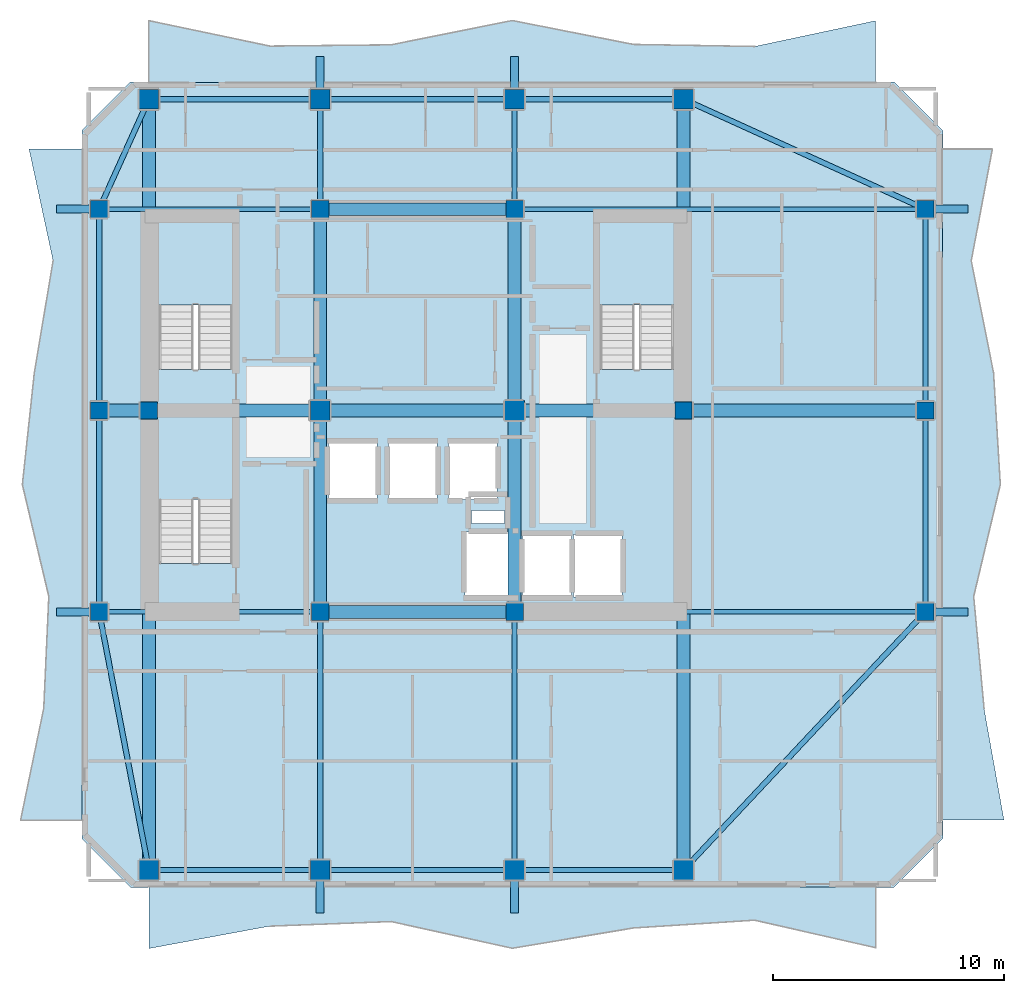
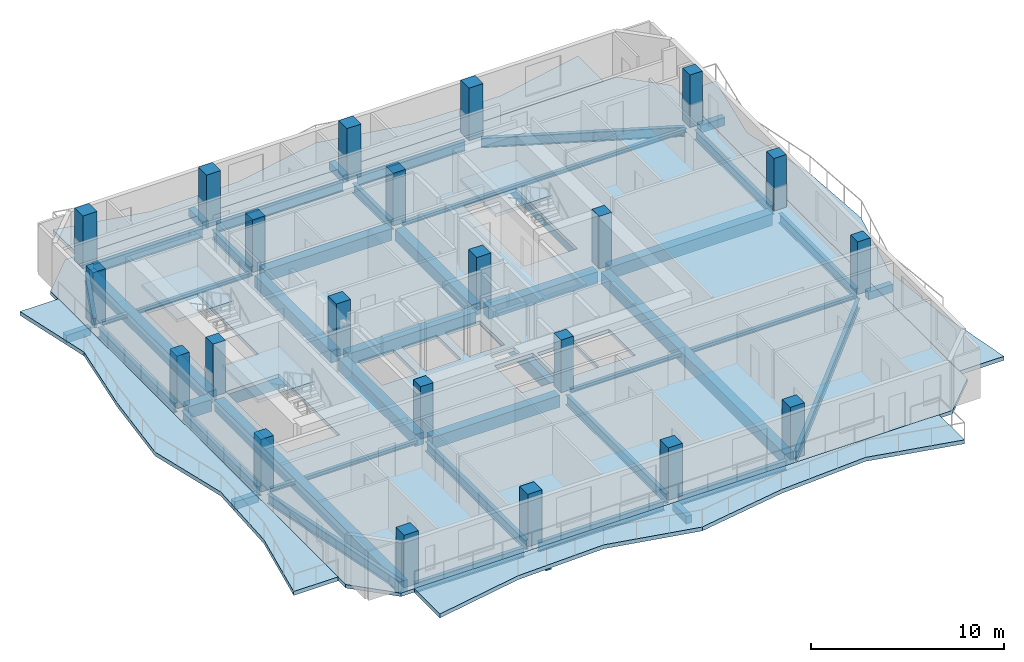
# One storey, part 1 of 9: 45 beams, 22 columns, 8 slabs, 3 elements without a shape of their own.
"""IFC4 building model written with IfcOpenShell, lengths in metres."""

import ifcopenshell
import ifcopenshell.guid

model = None  # the IFC model being written
_history = None  # IfcOwnerHistory: only IFC2X3 demands one
_inside = {}  # id of a spatial element -> (the spatial element, [elements in it])
_under = {}  # id of a project, library or spatial element -> (it, [spatial elements below it])
_declared = {}  # id of a project -> (the project, [libraries it declares])
_typed = {}  # id of a type object -> (the type object, [elements of that type])
_made_of = {}  # id of a material, layer set ... -> (it, [elements and type objects made of it])


def new_model(schema):
    """Start an empty IFC model of exactly this schema.

    Asked for "IFC4X3", IfcOpenShell would pick the latest addendum, in which some entities
    have other attributes; the version numbers below select the first issue.
    IFC2X3 requires an IfcOwnerHistory on every rooted entity: one is made here for all.
    """
    global model, _history
    if schema == "IFC4X3":
        model = ifcopenshell.file(schema_version=(4, 3, 0, 0))
    else:
        model = ifcopenshell.file(schema=schema)
    _inside.clear()
    _under.clear()
    _declared.clear()
    _typed.clear()
    _made_of.clear()
    _history = None
    if model.schema == "IFC2X3":
        org = make("IfcOrganization", Name="unknown")
        user = make(
            "IfcPersonAndOrganization",
            ThePerson=make("IfcPerson", FamilyName="unknown"),
            TheOrganization=org,
        )
        app = make(
            "IfcApplication",
            ApplicationDeveloper=org,
            Version="unknown",
            ApplicationFullName="unknown",
            ApplicationIdentifier="unknown",
        )
        _history = make(
            "IfcOwnerHistory",
            OwningUser=user,
            OwningApplication=app,
            ChangeAction="ADDED",
            CreationDate=0,
        )
    return model


def make(cls, **values):
    """One entity of the class cls with the attributes given. An attribute that is None is left unset."""
    return model.create_entity(
        cls, **{name: value for name, value in values.items() if value is not None}
    )


def rooted(cls, **values):
    """An entity with a GlobalId (a new one), such as an element, a storey or a relation."""
    return make(cls, GlobalId=ifcopenshell.guid.new(), OwnerHistory=_history, **values)


def si_unit(unit_type, name, prefix=None):
    """IfcSIUnit, for example si_unit("LENGTHUNIT", "METRE", prefix="MILLI")."""
    return make("IfcSIUnit", UnitType=unit_type, Prefix=prefix, Name=name)


def assignment(units):
    """IfcUnitAssignment: the units of a project."""
    return None if units is None else make("IfcUnitAssignment", Units=units)


def point(xyz):
    """IfcCartesianPoint."""
    return None if xyz is None else make("IfcCartesianPoint", Coordinates=xyz)


def direction(xyz):
    """IfcDirection."""
    return None if xyz is None else make("IfcDirection", DirectionRatios=xyz)


def frame(location, z_axis=None, x_axis=None):
    """IfcAxis2Placement3D, a coordinate frame: its origin and axes. An axis left out is left unset."""
    return make(
        "IfcAxis2Placement3D",
        Location=point(location),
        Axis=direction(z_axis),
        RefDirection=direction(x_axis),
    )


def frame_2d(location, x_axis=None):
    """IfcAxis2Placement2D, a coordinate frame in the plane: its origin and x axis."""
    return make(
        "IfcAxis2Placement2D", Location=point(location), RefDirection=direction(x_axis)
    )


def origin():
    """The frame at (0, 0, 0) with its axes left unset."""
    return frame((0.0, 0.0, 0.0))


def origin_2d():
    """The frame at (0, 0) in the plane with its x axis left unset."""
    return frame_2d((0.0, 0.0))


def place(relative_to, where):
    """IfcLocalPlacement: puts the frame where relative to a parent placement (None: the world)."""
    return make(
        "IfcLocalPlacement", PlacementRelTo=relative_to, RelativePlacement=where
    )


def context(
    kind, dimensions, precision=None, world=None, true_north=None, identifier=None
):
    """IfcGeometricRepresentationContext, for example the 3D "Model" context."""
    return make(
        "IfcGeometricRepresentationContext",
        ContextIdentifier=identifier,
        ContextType=kind,
        CoordinateSpaceDimension=dimensions,
        Precision=precision,
        WorldCoordinateSystem=world,
        TrueNorth=true_north,
    )


def subcontext(parent, identifier, kind, view, scale=None):
    """IfcGeometricRepresentationSubContext, for example "Body" below "Model"."""
    return make(
        "IfcGeometricRepresentationSubContext",
        ContextIdentifier=identifier,
        ContextType=kind,
        ParentContext=parent,
        TargetScale=scale,
        TargetView=view,
    )


def project(units=None, contexts=None):
    """IfcProject with its units and contexts."""
    return rooted(
        "IfcProject",
        Name="project",
        RepresentationContexts=contexts,
        UnitsInContext=assignment(units),
    )


def spatial(cls, under=None, at=None, **own):
    """A site, building, storey or space (cls), placed at a placement, below another one or the project."""
    s = rooted(cls, ObjectPlacement=at, **own)
    if under is not None:
        _under.setdefault(under.id(), (under, []))[1].append(s)
    return s


def polyline(points):
    """IfcPolyline through the points."""
    return make("IfcPolyline", Points=[point(p) for p in points])


def profile(cls, at=None, kind="AREA", **sizes):
    """A parametric profile (cls). Its sizes go by their IFC names, for example OverallWidth=200.0."""
    return make(cls, ProfileType=kind, Position=at, **sizes)


def rectangle(**sizes):
    """IfcRectangleProfileDef."""
    return profile("IfcRectangleProfileDef", **sizes)


def i_section(**sizes):
    """IfcIShapeProfileDef."""
    return profile("IfcIShapeProfileDef", **sizes)


def outline(outer, holes=None, kind="AREA"):
    """IfcArbitraryClosedProfileDef: a profile drawn as a closed curve; with holes, ...WithVoids."""
    if holes is None:
        return make("IfcArbitraryClosedProfileDef", ProfileType=kind, OuterCurve=outer)
    return make(
        "IfcArbitraryProfileDefWithVoids",
        ProfileType=kind,
        OuterCurve=outer,
        InnerCurves=holes,
    )


def extrude(swept, where, along, depth):
    """IfcExtrudedAreaSolid: the profile swept, set in the frame where, extruded along a direction by depth."""
    return make(
        "IfcExtrudedAreaSolid",
        SweptArea=swept,
        Position=where,
        ExtrudedDirection=direction(along),
        Depth=depth,
    )


def shape(context_of_items, identifier, shape_type, items):
    """IfcShapeRepresentation: the items that make up one representation, for example the "Body"."""
    return make(
        "IfcShapeRepresentation",
        ContextOfItems=context_of_items,
        RepresentationIdentifier=identifier,
        RepresentationType=shape_type,
        Items=items,
    )


def material(Name=None, Category=None):
    """IfcMaterial."""
    return make("IfcMaterial", Name=Name, Category=Category)


def layer(
    of_material, thickness, ventilated=None, Name=None, Category=None, Priority=None
):
    """IfcMaterialLayer: one layer of a wall or slab, of a material (None: an air gap)."""
    return make(
        "IfcMaterialLayer",
        Material=of_material,
        LayerThickness=thickness,
        IsVentilated=ventilated,
        Name=Name,
        Category=Category,
        Priority=Priority,
    )


def layer_set(layers, Name=None):
    """IfcMaterialLayerSet."""
    return make("IfcMaterialLayerSet", MaterialLayers=layers, LayerSetName=Name)


def material_profile(
    of_material, cross_section, Name=None, Category=None, Priority=None
):
    """IfcMaterialProfile: a cross section and its material."""
    return make(
        "IfcMaterialProfile",
        Name=Name,
        Material=of_material,
        Profile=cross_section,
        Priority=Priority,
        Category=Category,
    )


def profile_set(profiles, Name=None, composite=None):
    """IfcMaterialProfileSet."""
    return make(
        "IfcMaterialProfileSet",
        Name=Name,
        MaterialProfiles=profiles,
        CompositeProfile=composite,
    )


def made_of(thing, what):
    """Note that an element or type object is made of a material, layer set ...; save() writes the relation."""
    if what is not None:
        _made_of.setdefault(what.id(), (what, []))[1].append(thing)
    return thing


def type_object(cls, material=None, **own):
    """A type object (cls), such as IfcWallType, which elements share."""
    return made_of(rooted(cls, **own), material)


def element(
    cls,
    number,
    at=None,
    inside=None,
    cuts=None,
    type_object=None,
    material=None,
    context=None,
    identifier="Body",
    shape_type=None,
    held_by="IfcProductDefinitionShape",
    body=None,
    shapes=None,
    **own,
):
    """One element of the class cls, such as IfcWall. Its Tag is "e" and its number.

    at: its placement. inside: the storey or other place that contains it. cuts: it is an
    opening in that element (IfcRelVoidsElement). A single representation is given by context,
    identifier, shape_type and body (its items); several are given by shapes. held_by: the class
    of the entity that holds the representations. save() writes the other relations.
    """
    e = rooted(cls, Tag="e%d" % number, ObjectPlacement=at, **own)
    if body is not None:
        shapes = [shape(context, identifier, shape_type, body)]
    if shapes is not None:
        e.Representation = make(held_by, Representations=shapes)
    if inside is not None:
        _inside.setdefault(inside.id(), (inside, []))[1].append(e)
    if cuts is not None:
        rooted(
            "IfcRelVoidsElement", RelatingBuildingElement=cuts, RelatedOpeningElement=e
        )
    if type_object is not None:
        _typed.setdefault(type_object.id(), (type_object, []))[1].append(e)
    return made_of(e, material)


def aggregate(whole, parts):
    """IfcRelAggregates: a whole, such as a stair, and the parts it consists of."""
    return rooted("IfcRelAggregates", RelatingObject=whole, RelatedObjects=parts)


def save(model, path):
    """Write the relations noted so far, then the file.

    IfcRelAggregates (storeys below a building ...), IfcRelContainedInSpatialStructure (elements
    in a storey), IfcRelDefinesByType, IfcRelAssociatesMaterial and IfcRelDeclares: one each for
    every whole, place, type object, material and project.
    """
    for whole, parts in _under.values():
        aggregate(whole, parts)
    for where, things in _inside.values():
        rooted(
            "IfcRelContainedInSpatialStructure",
            RelatedElements=things,
            RelatingStructure=where,
        )
    for kind, things in _typed.values():
        rooted("IfcRelDefinesByType", RelatedObjects=things, RelatingType=kind)
    for what, things in _made_of.values():
        rooted("IfcRelAssociatesMaterial", RelatedObjects=things, RelatingMaterial=what)
    for by, libraries in _declared.values():
        rooted("IfcRelDeclares", RelatingContext=by, RelatedDefinitions=libraries)
    model.write(path)


model = new_model("IFC4")

# Units and contexts
model_context = context("Model", 3, precision=1e-05, world=origin(), true_north=direction((0.0, 1.0)))
body_context = subcontext(model_context, "Body", "Model", "MODEL_VIEW")
ifc_project = project(units=[si_unit("LENGTHUNIT", "METRE"), si_unit("AREAUNIT", "SQUARE_METRE"), si_unit("VOLUMEUNIT", "CUBIC_METRE"), si_unit("PLANEANGLEUNIT", "RADIAN"), si_unit("MASSUNIT", "GRAM", prefix="KILO")], contexts=[model_context])

# Site, building, storey
site_placement = place(None, origin())
site = spatial("IfcSite", under=ifc_project, at=site_placement, CompositionType="ELEMENT")
building_placement = place(site_placement, origin())
building = spatial("IfcBuilding", under=site, at=building_placement, Name="Solanera Arch Residences", CompositionType="ELEMENT")
storey_placement = place(building_placement, frame((0.0, 0.0, 213.39990234375)))
storey = spatial("IfcBuildingStorey", under=building, at=storey_placement, Name="L62", CompositionType="ELEMENT", Elevation=213.39990234375)

# Columns
ifc_material_1 = material(Name="Concrete C40/50 (f'c = 45 MPa)", Category="concrete")
ifc_material_profile_1 = material_profile(ifc_material_1, rectangle(XDim=0.75, YDim=0.75, at=origin_2d()))
ifc_profile_set_1 = profile_set([ifc_material_profile_1], Name="Concrete C40/50 (f'c = 45 MPa)")
column_type_1 = type_object("IfcColumnType", Name="Structural Column RC-COL-750X750", PredefinedType="COLUMN", material=ifc_profile_set_1)
for number, where, z_axis, x_axis, name in (
    (1, (20.800048828125, 22.0, 0.0), (0.0, 0.0, 1.0), (1.0, 0.0, 0.0), "COL-L62-CB-SW"),
    (2, (29.199951171875, 22.0, 0.0), (0.0, 0.0, 1.0), (1.0, 0.0, 0.0), "COL-L62-CB-SE"),
    (3, (20.800048828125, 39.39990234375, 0.0), (0.0, 0.0, 1.0), (1.0, 0.0, 0.0), "COL-L62-CB-NW"),
    (4, (29.199951171875, 39.39990234375, 0.0), (0.0, 0.0, 1.0), (1.0, 0.0, 0.0), "COL-L62-CB-NE"),
    (5, (13.39990234375, 30.699951171875, 0.0), (0.0, 0.0, 1.0), (1.0, 0.0, 0.0), "COL-L62-CB-WW"),
    (6, (36.5, 30.699951171875, 0.0), (0.0, 0.0, 1.0), (1.0, 0.0, 0.0), "COL-L62-CB-EE"),
    (7, (11.25, 22.0, 0.0), (0.0, 0.0, 1.0), (1.0, 0.0, 0.0), "COL-L62-TWR-09"),
    (8, (46.949951171875, 22.0, 0.0), (0.0, 0.0, 1.0), (1.0, 0.0, 0.0), "COL-L62-TWR-10"),
    (9, (11.25, 30.699951171875, 0.0), (0.0, 0.0, 1.0), (1.0, 0.0, 0.0), "COL-L62-TWR-11"),
    (10, (46.949951171875, 30.699951171875, 0.0), (0.0, 0.0, 1.0), (1.0, 0.0, 0.0), "COL-L62-TWR-12"),
    (11, (11.25, 39.39990234375, 0.0), (0.0, 0.0, 1.0), (1.0, 0.0, 0.0), "COL-L62-TWR-13"),
    (12, (46.949951171875, 39.39990234375, 0.0), (0.0, 0.0, 1.0), (1.0, 0.0, 0.0), "COL-L62-TWR-14"),
):
    element("IfcColumn", number, at=place(storey_placement, frame(where, z_axis=z_axis, x_axis=x_axis)), inside=storey, type_object=column_type_1, Name=name, PredefinedType="COLUMN", context=body_context, shape_type="SweptSolid", body=[
        extrude(rectangle(XDim=0.75, YDim=0.75, at=origin_2d()), origin(), (0.0, 0.0, 1.0), 3.320068359375),
    ])
ifc_material_2 = material(Name="Concrete C40/50 (f'c = 45 MPa)", Category="concrete")
ifc_material_profile_2 = material_profile(ifc_material_2, rectangle(XDim=0.85009765625, YDim=0.85009765625, at=origin_2d()))
ifc_profile_set_2 = profile_set([ifc_material_profile_2], Name="Concrete C40/50 (f'c = 45 MPa)")
column_type_2 = type_object("IfcColumnType", Name="Structural Column RC-COL-850X850", PredefinedType="COLUMN", material=ifc_profile_set_2)
for number, where, z_axis, x_axis, name in (
    (13, (20.800048828125, 30.699951171875, 0.0), (0.0, 0.0, 1.0), (1.0, 0.0, 0.0), "COL-L62-CORE-W"),
    (14, (29.199951171875, 30.699951171875, 0.0), (0.0, 0.0, 1.0), (1.0, 0.0, 0.0), "COL-L62-CORE-E"),
    (15, (13.39990234375, 10.85009765625, 0.0), (0.0, 0.0, 1.0), (1.0, 0.0, 0.0), "COL-L62-TWR-01"),
    (16, (13.39990234375, 44.14990234375, 0.0), (0.0, 0.0, 1.0), (1.0, 0.0, 0.0), "COL-L62-TWR-02"),
    (17, (20.800048828125, 10.85009765625, 0.0), (0.0, 0.0, 1.0), (1.0, 0.0, 0.0), "COL-L62-TWR-03"),
    (18, (20.800048828125, 44.14990234375, 0.0), (0.0, 0.0, 1.0), (1.0, 0.0, 0.0), "COL-L62-TWR-04"),
    (19, (29.199951171875, 10.85009765625, 0.0), (0.0, 0.0, 1.0), (1.0, 0.0, 0.0), "COL-L62-TWR-05"),
    (20, (29.199951171875, 44.14990234375, 0.0), (0.0, 0.0, 1.0), (1.0, 0.0, 0.0), "COL-L62-TWR-06"),
    (21, (36.5, 10.85009765625, 0.0), (0.0, 0.0, 1.0), (1.0, 0.0, 0.0), "COL-L62-TWR-07"),
    (22, (36.5, 44.14990234375, 0.0), (0.0, 0.0, 1.0), (1.0, 0.0, 0.0), "COL-L62-TWR-08"),
):
    element("IfcColumn", number, at=place(storey_placement, frame(where, z_axis=z_axis, x_axis=x_axis)), inside=storey, type_object=column_type_2, Name=name, PredefinedType="COLUMN", context=body_context, shape_type="SweptSolid", body=[
        extrude(rectangle(XDim=0.85009765625, YDim=0.85009765625, at=origin_2d()), origin(), (0.0, 0.0, 1.0), 3.320068359375),
    ])

# Beams
ifc_material_3 = material(Name="Concrete C40/50 (f'c = 45 MPa)", Category="concrete")
ifc_material_profile_3 = material_profile(ifc_material_3, rectangle(XDim=0.35009765625, YDim=0.5, at=origin_2d()))
ifc_profile_set_3 = profile_set([ifc_material_profile_3], Name="Concrete C40/50 (f'c = 45 MPa)")
beam_type_1 = type_object("IfcBeamType", Name="BM-BALC-RIB", PredefinedType="BEAM", material=ifc_profile_set_3)
for number, where, z_axis, x_axis, name in (
    (23, (20.800048828125, 9.0, -0.5), (0.0, 1.0, 0.0), (-1.0, 0.0, 0.0), "BM-L62-BRIB-S1"),
    (24, (29.199951171875, 9.0, -0.5), (0.0, 1.0, 0.0), (-1.0, 0.0, 0.0), "BM-L62-BRIB-S2"),
    (25, (20.800048828125, 44.574951171875, -0.5), (0.0, 1.0, 0.0), (-1.0, 0.0, 0.0), "BM-L62-BRIB-N1"),
    (26, (29.199951171875, 44.574951171875, -0.5), (0.0, 1.0, 0.0), (-1.0, 0.0, 0.0), "BM-L62-BRIB-N2"),
):
    element("IfcBeam", number, at=place(storey_placement, frame(where, z_axis=z_axis, x_axis=x_axis)), inside=storey, type_object=beam_type_1, Name=name, PredefinedType="BEAM", context=body_context, shape_type="SweptSolid", body=[
        extrude(rectangle(XDim=0.35009765625, YDim=0.5, at=origin_2d()), origin(), (0.0, 0.0, 1.0), 1.425048828125),
    ])
for number, where, z_axis, x_axis, name in (
    (27, (47.324951171875, 22.0, -0.5), (1.0, 0.0, 0.0), (0.0, 1.0, 0.0), "BM-L62-BRIB-E1"),
    (28, (47.324951171875, 39.39990234375, -0.5), (1.0, 0.0, 0.0), (0.0, 1.0, 0.0), "BM-L62-BRIB-E2"),
    (29, (9.39990234375, 22.0, -0.5), (1.0, 0.0, 0.0), (0.0, 1.0, 0.0), "BM-L62-BRIB-W1"),
    (30, (9.39990234375, 39.39990234375, -0.5), (1.0, 0.0, 0.0), (0.0, 1.0, 0.0), "BM-L62-BRIB-W2"),
):
    element("IfcBeam", number, at=place(storey_placement, frame(where, z_axis=z_axis, x_axis=x_axis)), inside=storey, type_object=beam_type_1, Name=name, PredefinedType="BEAM", context=body_context, shape_type="SweptSolid", body=[
        extrude(rectangle(XDim=0.35009765625, YDim=0.5, at=origin_2d()), origin(), (0.0, 0.0, 1.0), 1.47509765625),
    ])
ifc_material_4 = material(Name="Concrete C40/50 (f'c = 45 MPa)", Category="concrete")
ifc_material_profile_4 = material_profile(ifc_material_4, rectangle(XDim=0.550048828125, YDim=0.75, at=origin_2d()))
ifc_profile_set_4 = profile_set([ifc_material_profile_4], Name="Concrete C40/50 (f'c = 45 MPa)")
beam_type_2 = type_object("IfcBeamType", Name="Primary Beam RC-BM-550X750", PredefinedType="BEAM", material=ifc_profile_set_4)
beam_1_placement = place(storey_placement, frame((20.800048828125, 22.37890625, -0.594970703125), z_axis=(0.0, 1.0, 0.0), x_axis=(-1.0, 0.0, 0.0)))
element("IfcBeam", 31, at=beam_1_placement, inside=storey, type_object=beam_type_2, Name="BM-L62-CC-S-208", PredefinedType="BEAM", context=body_context, shape_type="SweptSolid", body=[
    extrude(rectangle(XDim=0.550048828125, YDim=0.75, at=origin_2d()), origin(), (0.0, 0.0, 1.0), 7.942138671875),
])
beam_2_placement = place(storey_placement, frame((20.800048828125, 31.0791015625, -0.594970703125), z_axis=(0.0, 1.0, 0.0), x_axis=(-1.0, 0.0, 0.0)))
element("IfcBeam", 32, at=beam_2_placement, inside=storey, type_object=beam_type_2, Name="BM-L62-CC-N-208", PredefinedType="BEAM", context=body_context, shape_type="SweptSolid", body=[
    extrude(rectangle(XDim=0.550048828125, YDim=0.75, at=origin_2d()), origin(), (0.0, 0.0, 1.0), 7.94189453125),
])
beam_3_placement = place(storey_placement, frame((29.199951171875, 22.37890625, -0.594970703125), z_axis=(0.0, 1.0, 0.0), x_axis=(-1.0, 0.0, 0.0)))
element("IfcBeam", 33, at=beam_3_placement, inside=storey, type_object=beam_type_2, Name="BM-L62-CC-S-292", PredefinedType="BEAM", context=body_context, shape_type="SweptSolid", body=[
    extrude(rectangle(XDim=0.550048828125, YDim=0.75, at=origin_2d()), origin(), (0.0, 0.0, 1.0), 7.942138671875),
])
beam_4_placement = place(storey_placement, frame((29.199951171875, 31.0791015625, -0.594970703125), z_axis=(0.0, 1.0, 0.0), x_axis=(-1.0, 0.0, 0.0)))
element("IfcBeam", 34, at=beam_4_placement, inside=storey, type_object=beam_type_2, Name="BM-L62-CC-N-292", PredefinedType="BEAM", context=body_context, shape_type="SweptSolid", body=[
    extrude(rectangle(XDim=0.550048828125, YDim=0.75, at=origin_2d()), origin(), (0.0, 0.0, 1.0), 7.94189453125),
])
for number, where, z_axis, x_axis, name in (
    (35, (21.178955078125, 22.0, -0.594970703125), (1.0, 0.0, 0.0), (0.0, 1.0, 0.0), "BM-L62-CC-M-220"),
    (36, (21.178955078125, 30.699951171875, -0.594970703125), (1.0, 0.0, 0.0), (0.0, 1.0, 0.0), "BM-L62-CC-M-307"),
    (37, (21.178955078125, 39.39990234375, -0.594970703125), (1.0, 0.0, 0.0), (0.0, 1.0, 0.0), "BM-L62-CC-M-394"),
):
    element("IfcBeam", number, at=place(storey_placement, frame(where, z_axis=z_axis, x_axis=x_axis)), inside=storey, type_object=beam_type_2, Name=name, PredefinedType="BEAM", context=body_context, shape_type="SweptSolid", body=[
        extrude(rectangle(XDim=0.550048828125, YDim=0.75, at=origin_2d()), origin(), (0.0, 0.0, 1.0), 7.64208984375),
    ])
beam_5_placement = place(storey_placement, frame((13.779052734375, 30.699951171875, -0.594970703125), z_axis=(1.0, 0.0, 0.0), x_axis=(0.0, 1.0, 0.0)))
element("IfcBeam", 38, at=beam_5_placement, inside=storey, type_object=beam_type_2, Name="BM-L62-CC-W", PredefinedType="BEAM", context=body_context, shape_type="SweptSolid", body=[
    extrude(rectangle(XDim=0.550048828125, YDim=0.75, at=origin_2d()), origin(), (0.0, 0.0, 1.0), 6.641845703125),
])
beam_6_placement = place(storey_placement, frame((29.5791015625, 30.699951171875, -0.594970703125), z_axis=(1.0, 0.0, 0.0), x_axis=(0.0, 1.0, 0.0)))
element("IfcBeam", 39, at=beam_6_placement, inside=storey, type_object=beam_type_2, Name="BM-L62-CC-E", PredefinedType="BEAM", context=body_context, shape_type="SweptSolid", body=[
    extrude(rectangle(XDim=0.550048828125, YDim=0.75, at=origin_2d()), origin(), (0.0, 0.0, 1.0), 6.5419921875),
])
beam_7_placement = place(storey_placement, frame((13.39990234375, 11.279052734375, -0.594970703125), z_axis=(0.0, 1.0, 0.0), x_axis=(-1.0, 0.0, 0.0)))
element("IfcBeam", 40, at=beam_7_placement, inside=storey, type_object=beam_type_2, Name="BM-L62-RAD-OS-134", PredefinedType="BEAM", context=body_context, shape_type="SweptSolid", body=[
    extrude(rectangle(XDim=0.550048828125, YDim=0.75, at=origin_2d()), origin(), (0.0, 0.0, 1.0), 19.0419921875),
])
beam_8_placement = place(storey_placement, frame((13.39990234375, 31.0791015625, -0.594970703125), z_axis=(0.0, 1.0, 0.0), x_axis=(-1.0, 0.0, 0.0)))
element("IfcBeam", 41, at=beam_8_placement, inside=storey, type_object=beam_type_2, Name="BM-L62-RAD-ON-134", PredefinedType="BEAM", context=body_context, shape_type="SweptSolid", body=[
    extrude(rectangle(XDim=0.550048828125, YDim=0.75, at=origin_2d()), origin(), (0.0, 0.0, 1.0), 12.641845703125),
])
beam_9_placement = place(storey_placement, frame((36.5, 11.279052734375, -0.594970703125), z_axis=(0.0, 1.0, 0.0), x_axis=(-1.0, 0.0, 0.0)))
element("IfcBeam", 42, at=beam_9_placement, inside=storey, type_object=beam_type_2, Name="BM-L62-RAD-OS-365", PredefinedType="BEAM", context=body_context, shape_type="SweptSolid", body=[
    extrude(rectangle(XDim=0.550048828125, YDim=0.75, at=origin_2d()), origin(), (0.0, 0.0, 1.0), 19.0419921875),
])
beam_10_placement = place(storey_placement, frame((36.5, 31.0791015625, -0.594970703125), z_axis=(0.0, 1.0, 0.0), x_axis=(-1.0, 0.0, 0.0)))
element("IfcBeam", 43, at=beam_10_placement, inside=storey, type_object=beam_type_2, Name="BM-L62-RAD-ON-365", PredefinedType="BEAM", context=body_context, shape_type="SweptSolid", body=[
    extrude(rectangle(XDim=0.550048828125, YDim=0.75, at=origin_2d()), origin(), (0.0, 0.0, 1.0), 12.641845703125),
])
beam_11_placement = place(storey_placement, frame((11.62890625, 30.699951171875, -0.594970703125), z_axis=(1.0, 0.0, 0.0), x_axis=(0.0, 1.0, 0.0)))
element("IfcBeam", 44, at=beam_11_placement, inside=storey, type_object=beam_type_2, Name="BM-L62-RAD-MW", PredefinedType="BEAM", context=body_context, shape_type="SweptSolid", body=[
    extrude(rectangle(XDim=0.550048828125, YDim=0.75, at=origin_2d()), origin(), (0.0, 0.0, 1.0), 1.39208984375),
])
beam_12_placement = place(storey_placement, frame((36.87890625, 30.699951171875, -0.594970703125), z_axis=(1.0, 0.0, 0.0), x_axis=(0.0, 1.0, 0.0)))
element("IfcBeam", 45, at=beam_12_placement, inside=storey, type_object=beam_type_2, Name="BM-L62-RAD-ME", PredefinedType="BEAM", context=body_context, shape_type="SweptSolid", body=[
    extrude(rectangle(XDim=0.550048828125, YDim=0.75, at=origin_2d()), origin(), (0.0, 0.0, 1.0), 9.692138671875),
])
ifc_material_5 = material(Name="Steel S355 (ASTM A992 / A572 Grade 50)", Category="steel")
ifc_material_profile_5 = material_profile(ifc_material_5, i_section(OverallWidth=0.22998046875, OverallDepth=0.616943359375, WebThickness=0.01318359375, FlangeThickness=0.022216796875, at=origin_2d()))
ifc_profile_set_5 = profile_set([ifc_material_profile_5], Name="Steel S355 (ASTM A992 / A572 Grade 50)")
beam_type_3 = type_object("IfcBeamType", Name="Primary Beam W610X140", PredefinedType="BEAM", material=ifc_profile_set_5)
beam_13_placement = place(storey_placement, frame((20.800048828125, 11.279052734375, -0.52880859375), z_axis=(0.0, 1.0, 0.0), x_axis=(-1.0, 0.0, 0.0)))
element("IfcBeam", 46, at=beam_13_placement, inside=storey, type_object=beam_type_3, Name="BM-L62-RAD-S-208", PredefinedType="BEAM", context=body_context, shape_type="SweptSolid", body=[
    extrude(i_section(OverallWidth=0.22998046875, OverallDepth=0.616943359375, WebThickness=0.01318359375, FlangeThickness=0.022216796875, at=origin_2d()), origin(), (0.0, 0.0, 1.0), 10.342041015625),
])
beam_14_placement = place(storey_placement, frame((20.800048828125, 39.779052734375, -0.52880859375), z_axis=(0.0, 1.0, 0.0), x_axis=(-1.0, 0.0, 0.0)))
element("IfcBeam", 47, at=beam_14_placement, inside=storey, type_object=beam_type_3, Name="BM-L62-RAD-N-208", PredefinedType="BEAM", context=body_context, shape_type="SweptSolid", body=[
    extrude(i_section(OverallWidth=0.22998046875, OverallDepth=0.616943359375, WebThickness=0.01318359375, FlangeThickness=0.022216796875, at=origin_2d()), origin(), (0.0, 0.0, 1.0), 3.94189453125),
])
beam_15_placement = place(storey_placement, frame((29.199951171875, 11.279052734375, -0.52880859375), z_axis=(0.0, 1.0, 0.0), x_axis=(-1.0, 0.0, 0.0)))
element("IfcBeam", 48, at=beam_15_placement, inside=storey, type_object=beam_type_3, Name="BM-L62-RAD-S-292", PredefinedType="BEAM", context=body_context, shape_type="SweptSolid", body=[
    extrude(i_section(OverallWidth=0.22998046875, OverallDepth=0.616943359375, WebThickness=0.01318359375, FlangeThickness=0.022216796875, at=origin_2d()), origin(), (0.0, 0.0, 1.0), 10.342041015625),
])
beam_16_placement = place(storey_placement, frame((29.199951171875, 39.779052734375, -0.52880859375), z_axis=(0.0, 1.0, 0.0), x_axis=(-1.0, 0.0, 0.0)))
element("IfcBeam", 49, at=beam_16_placement, inside=storey, type_object=beam_type_3, Name="BM-L62-RAD-N-292", PredefinedType="BEAM", context=body_context, shape_type="SweptSolid", body=[
    extrude(i_section(OverallWidth=0.22998046875, OverallDepth=0.616943359375, WebThickness=0.01318359375, FlangeThickness=0.022216796875, at=origin_2d()), origin(), (0.0, 0.0, 1.0), 3.94189453125),
])
ifc_material_6 = material(Name="Steel S355 (ASTM A992 / A572 Grade 50)", Category="steel")
ifc_material_profile_6 = material_profile(ifc_material_6, i_section(OverallWidth=0.201904296875, OverallDepth=0.2470703125, WebThickness=0.00732421875, FlangeThickness=0.010986328125, at=origin_2d()))
ifc_profile_set_6 = profile_set([ifc_material_profile_6], Name="Steel S355 (ASTM A992 / A572 Grade 50)")
beam_type_4 = type_object("IfcBeamType", Name="Secondary Joist W250X49.1", PredefinedType="JOIST", material=ifc_profile_set_6)
beam_17_placement = place(storey_placement, frame((11.62890625, 22.0, -0.343994140625), z_axis=(1.0, 0.0, 0.0), x_axis=(0.0, 1.0, 0.0)))
element("IfcBeam", 50, at=beam_17_placement, inside=storey, type_object=beam_type_4, Name="BM-L62-RAD-W-220", PredefinedType="JOIST", context=body_context, shape_type="SweptSolid", body=[
    extrude(i_section(OverallWidth=0.201904296875, OverallDepth=0.2470703125, WebThickness=0.00732421875, FlangeThickness=0.010986328125, at=origin_2d()), origin(), (0.0, 0.0, 1.0), 8.7919921875),
])
beam_18_placement = place(storey_placement, frame((29.5791015625, 22.0, -0.343994140625), z_axis=(1.0, 0.0, 0.0), x_axis=(0.0, 1.0, 0.0)))
element("IfcBeam", 51, at=beam_18_placement, inside=storey, type_object=beam_type_4, Name="BM-L62-RAD-E-220", PredefinedType="JOIST", context=body_context, shape_type="SweptSolid", body=[
    extrude(i_section(OverallWidth=0.201904296875, OverallDepth=0.2470703125, WebThickness=0.00732421875, FlangeThickness=0.010986328125, at=origin_2d()), origin(), (0.0, 0.0, 1.0), 16.991943359375),
])
beam_19_placement = place(storey_placement, frame((11.62890625, 39.39990234375, -0.343994140625), z_axis=(1.0, 0.0, 0.0), x_axis=(0.0, 1.0, 0.0)))
element("IfcBeam", 52, at=beam_19_placement, inside=storey, type_object=beam_type_4, Name="BM-L62-RAD-W-394", PredefinedType="JOIST", context=body_context, shape_type="SweptSolid", body=[
    extrude(i_section(OverallWidth=0.201904296875, OverallDepth=0.2470703125, WebThickness=0.00732421875, FlangeThickness=0.010986328125, at=origin_2d()), origin(), (0.0, 0.0, 1.0), 8.7919921875),
])
beam_20_placement = place(storey_placement, frame((29.5791015625, 39.39990234375, -0.343994140625), z_axis=(1.0, 0.0, 0.0), x_axis=(0.0, 1.0, 0.0)))
element("IfcBeam", 53, at=beam_20_placement, inside=storey, type_object=beam_type_4, Name="BM-L62-RAD-E-394", PredefinedType="JOIST", context=body_context, shape_type="SweptSolid", body=[
    extrude(i_section(OverallWidth=0.201904296875, OverallDepth=0.2470703125, WebThickness=0.00732421875, FlangeThickness=0.010986328125, at=origin_2d()), origin(), (0.0, 0.0, 1.0), 16.991943359375),
])
ifc_material_7 = material(Name="Steel S355 (ASTM A992 / A572 Grade 50)", Category="steel")
ifc_material_profile_7 = material_profile(ifc_material_7, i_section(OverallWidth=0.22802734375, OverallDepth=0.60791015625, WebThickness=0.01123046875, FlangeThickness=0.017333984375, at=origin_2d()))
ifc_profile_set_7 = profile_set([ifc_material_profile_7], Name="Steel S355 (ASTM A992 / A572 Grade 50)")
beam_type_5 = type_object("IfcBeamType", Name="Spandrel Beam W610X113", PredefinedType="SPANDREL", material=ifc_profile_set_7)
for number, where, z_axis, x_axis, name in (
    (54, (13.8291015625, 10.85009765625, -0.52392578125), (1.0, 0.0, 0.0), (0.0, 1.0, 0.0), "BM-L62-SPN-S-1"),
    (55, (13.8291015625, 44.14990234375, -0.52392578125), (1.0, 0.0, 0.0), (0.0, 1.0, 0.0), "BM-L62-SPN-N-1"),
):
    element("IfcBeam", number, at=place(storey_placement, frame(where, z_axis=z_axis, x_axis=x_axis)), inside=storey, type_object=beam_type_5, Name=name, PredefinedType="SPANDREL", context=body_context, shape_type="SweptSolid", body=[
        extrude(i_section(OverallWidth=0.22802734375, OverallDepth=0.60791015625, WebThickness=0.01123046875, FlangeThickness=0.017333984375, at=origin_2d()), origin(), (0.0, 0.0, 1.0), 6.5419921875),
    ])
for number, where, z_axis, x_axis, name in (
    (56, (21.22900390625, 10.85009765625, -0.52392578125), (1.0, 0.0, 0.0), (0.0, 1.0, 0.0), "BM-L62-SPN-S-2"),
    (57, (21.22900390625, 44.14990234375, -0.52392578125), (1.0, 0.0, 0.0), (0.0, 1.0, 0.0), "BM-L62-SPN-N-2"),
):
    element("IfcBeam", number, at=place(storey_placement, frame(where, z_axis=z_axis, x_axis=x_axis)), inside=storey, type_object=beam_type_5, Name=name, PredefinedType="SPANDREL", context=body_context, shape_type="SweptSolid", body=[
        extrude(i_section(OverallWidth=0.22802734375, OverallDepth=0.60791015625, WebThickness=0.01123046875, FlangeThickness=0.017333984375, at=origin_2d()), origin(), (0.0, 0.0, 1.0), 7.5419921875),
    ])
for number, where, z_axis, x_axis, name in (
    (58, (29.62890625, 10.85009765625, -0.52392578125), (1.0, 0.0, 0.0), (0.0, 1.0, 0.0), "BM-L62-SPN-S-3"),
    (59, (29.62890625, 44.14990234375, -0.52392578125), (1.0, 0.0, 0.0), (0.0, 1.0, 0.0), "BM-L62-SPN-N-3"),
):
    element("IfcBeam", number, at=place(storey_placement, frame(where, z_axis=z_axis, x_axis=x_axis)), inside=storey, type_object=beam_type_5, Name=name, PredefinedType="SPANDREL", context=body_context, shape_type="SweptSolid", body=[
        extrude(i_section(OverallWidth=0.22802734375, OverallDepth=0.60791015625, WebThickness=0.01123046875, FlangeThickness=0.017333984375, at=origin_2d()), origin(), (0.0, 0.0, 1.0), 6.442138671875),
    ])
for number, where, z_axis, x_axis, name in (
    (60, (11.25, 22.37890625, -0.52392578125), (0.0, 1.0, 0.0), (-1.0, 0.0, 0.0), "BM-L62-SPN-W-1"),
    (61, (46.949951171875, 22.37890625, -0.52392578125), (0.0, 1.0, 0.0), (-1.0, 0.0, 0.0), "BM-L62-SPN-E-1"),
):
    element("IfcBeam", number, at=place(storey_placement, frame(where, z_axis=z_axis, x_axis=x_axis)), inside=storey, type_object=beam_type_5, Name=name, PredefinedType="SPANDREL", context=body_context, shape_type="SweptSolid", body=[
        extrude(i_section(OverallWidth=0.22802734375, OverallDepth=0.60791015625, WebThickness=0.01123046875, FlangeThickness=0.017333984375, at=origin_2d()), origin(), (0.0, 0.0, 1.0), 7.942138671875),
    ])
for number, where, z_axis, x_axis, name in (
    (62, (11.25, 31.0791015625, -0.52392578125), (0.0, 1.0, 0.0), (-1.0, 0.0, 0.0), "BM-L62-SPN-W-2"),
    (63, (46.949951171875, 31.0791015625, -0.52392578125), (0.0, 1.0, 0.0), (-1.0, 0.0, 0.0), "BM-L62-SPN-E-2"),
):
    element("IfcBeam", number, at=place(storey_placement, frame(where, z_axis=z_axis, x_axis=x_axis)), inside=storey, type_object=beam_type_5, Name=name, PredefinedType="SPANDREL", context=body_context, shape_type="SweptSolid", body=[
        extrude(i_section(OverallWidth=0.22802734375, OverallDepth=0.60791015625, WebThickness=0.01123046875, FlangeThickness=0.017333984375, at=origin_2d()), origin(), (0.0, 0.0, 1.0), 7.94189453125),
    ])
beam_21_placement = place(storey_placement, frame((13.31689453125, 11.279052734375, -0.52392578125), z_axis=(-0.189309049989, 0.981917554376, 0.0), x_axis=(-0.981917554376, -0.189309049989, 0.0)))
element("IfcBeam", 64, at=beam_21_placement, inside=storey, type_object=beam_type_5, Name="BM-L62-SPN-SW", PredefinedType="SPANDREL", context=body_context, shape_type="SweptSolid", body=[
    extrude(i_section(OverallWidth=0.22802734375, OverallDepth=0.60791015625, WebThickness=0.01123046875, FlangeThickness=0.017333984375, at=origin_2d()), origin(), (0.0, 0.0, 1.0), 10.532470703125),
])
beam_22_placement = place(storey_placement, frame((13.2060546875, 43.720947265625, -0.52392578125), z_axis=(-0.412535820952, -0.910941379251, 0.0), x_axis=(0.910941379251, -0.412535820952, 0.0)))
element("IfcBeam", 65, at=beam_22_placement, inside=storey, type_object=beam_type_5, Name="BM-L62-SPN-NW", PredefinedType="SPANDREL", context=body_context, shape_type="SweptSolid", body=[
    extrude(i_section(OverallWidth=0.22802734375, OverallDepth=0.60791015625, WebThickness=0.01123046875, FlangeThickness=0.017333984375, at=origin_2d()), origin(), (0.0, 0.0, 1.0), 4.327392578125),
])
beam_23_placement = place(storey_placement, frame((36.868896484375, 11.243896484375, -0.52392578125), z_axis=(0.68384805947, 0.72962444556, 0.0), x_axis=(-0.72962444556, 0.68384805947, 0.0)))
element("IfcBeam", 66, at=beam_23_placement, inside=storey, type_object=beam_type_5, Name="BM-L62-SPN-SE", PredefinedType="SPANDREL", context=body_context, shape_type="SweptSolid", body=[
    extrude(i_section(OverallWidth=0.22802734375, OverallDepth=0.60791015625, WebThickness=0.01123046875, FlangeThickness=0.017333984375, at=origin_2d()), origin(), (0.0, 0.0, 1.0), 14.223876953125),
])
beam_24_placement = place(storey_placement, frame((36.928955078125, 43.955078125, -0.52392578125), z_axis=(0.910356214976, -0.413825521028, 0.0), x_axis=(0.413825521028, 0.910356214976, 0.0)))
element("IfcBeam", 67, at=beam_24_placement, inside=storey, type_object=beam_type_5, Name="BM-L62-SPN-NE", PredefinedType="SPANDREL", context=body_context, shape_type="SweptSolid", body=[
    extrude(i_section(OverallWidth=0.22802734375, OverallDepth=0.60791015625, WebThickness=0.01123046875, FlangeThickness=0.017333984375, at=origin_2d()), origin(), (0.0, 0.0, 1.0), 10.591552734375),
])

# Slabs
ifc_material_8 = material(Name="Concrete C40/50 (f'c = 45 MPa)", Category="concrete")
ifc_layer_1 = layer(ifc_material_8, 0.25)
ifc_layer_set_1 = layer_set([ifc_layer_1], Name="Concrete C40/50 (f'c = 45 MPa)")
slab_type_1 = type_object("IfcSlabType", Name="Balcony Slab 250", PredefinedType="FLOOR", material=ifc_layer_set_1)
slab_1_placement = place(storey_placement, frame((0.0, 0.0, -0.25)))
element("IfcSlab", 68, at=slab_1_placement, inside=storey, type_object=slab_type_1, Name="L62 S Rippling Brise-Soleil Balcony Slab", PredefinedType="FLOOR", context=body_context, shape_type="SweptSolid", body=[
    extrude(outline(polyline([(13.39990234375, 7.4541015625), (18.633056640625, 8.423095703125), (23.866943359375, 8.62109375), (29.10009765625, 7.468017578125), (34.3330078125, 8.343994140625), (39.56689453125, 8.680908203125), (44.800048828125, 7.490966796875), (44.800048828125, 10.1201171875), (13.39990234375, 10.1201171875), (13.39990234375, 7.4541015625)])), origin(), (0.0, 0.0, 1.0), 0.25),
])
slab_2_placement = place(storey_placement, frame((0.0, 0.0, -0.25)))
element("IfcSlab", 69, at=slab_2_placement, inside=storey, type_object=slab_type_1, Name="L62 N Rippling Brise-Soleil Balcony Slab", PredefinedType="FLOOR", context=body_context, shape_type="SweptSolid", body=[
    extrude(outline(polyline([(44.800048828125, 47.5439453125), (39.56689453125, 46.429931640625), (34.3330078125, 46.51806640625), (29.10009765625, 47.550048828125), (23.866943359375, 46.5009765625), (18.633056640625, 46.446044921875), (13.39990234375, 47.5458984375), (13.39990234375, 44.8798828125), (44.800048828125, 44.8798828125), (44.800048828125, 47.5439453125)])), origin(), (0.0, 0.0, 1.0), 0.25),
])
slab_3_placement = place(storey_placement, frame((0.0, 0.0, -0.25)))
element("IfcSlab", 70, at=slab_3_placement, inside=storey, type_object=slab_type_1, Name="L62 E Rippling Brise-Soleil Balcony Slab", PredefinedType="FLOOR", context=body_context, shape_type="SweptSolid", body=[
    extrude(outline(polyline([(50.345947265625, 13.0), (49.48291015625, 17.8330078125), (49.034912109375, 22.6669921875), (50.18603515625, 27.5), (49.89404296875, 32.3330078125), (48.930908203125, 37.1669921875), (49.842041015625, 42.0), (47.679931640625, 42.0), (47.679931640625, 13.0), (50.345947265625, 13.0)])), origin(), (0.0, 0.0, 1.0), 0.25),
])
slab_4_placement = place(storey_placement, frame((0.0, 0.0, -0.25)))
element("IfcSlab", 71, at=slab_4_placement, inside=storey, type_object=slab_type_1, Name="L62 W Rippling Brise-Soleil Balcony Slab", PredefinedType="FLOOR", context=body_context, shape_type="SweptSolid", body=[
    extrude(outline(polyline([(8.220947265625, 42.0), (9.260009765625, 37.1669921875), (8.448974609375, 32.3330078125), (7.931884765625, 27.5), (9.074951171875, 22.6669921875), (8.85693359375, 17.8330078125), (7.85400390625, 13.0), (10.52001953125, 13.0), (10.52001953125, 42.0), (8.220947265625, 42.0)])), origin(), (0.0, 0.0, 1.0), 0.25),
])

# Stair, slab
ifc_material_9 = material(Name="Concrete C40/50 (f'c = 45 MPa)", Category="concrete")
stair_type = type_object("IfcStairType", Name="Tower Dogleg Exit Stair 1480", PredefinedType="HALF_TURN_STAIR", material=ifc_material_9)
stair_1_placement = place(storey_placement, origin())
stair_1 = element("IfcStair", 72, at=stair_1_placement, inside=storey, type_object=stair_type, Name="L62 Tower Core Exit Stair 1", PredefinedType="HALF_TURN_STAIR")
ifc_material_10 = material(Name="Concrete C40/50 (f'c = 45 MPa)", Category="concrete")
ifc_layer_2 = layer(ifc_material_10, 0.199951171875)
ifc_layer_set_2 = layer_set([ifc_layer_2], Name="Concrete C40/50 (f'c = 45 MPa)")
slab_type_2 = type_object("IfcSlabType", Name="Stair Half-Landing Slab 200", PredefinedType="LANDING", material=ifc_layer_set_2)
slab_5_placement = place(storey_placement, frame((0.0, 0.0, 1.460205078125)))
slab_5 = element("IfcSlab", 73, at=slab_5_placement, type_object=slab_type_2, Name="ST-T1 landing 1", PredefinedType="LANDING", context=body_context, shape_type="SweptSolid", body=[
    extrude(outline(polyline([(17.1201171875, 35.260009765625), (17.1201171875, 38.919921875), (13.719970703125, 38.919921875), (13.719970703125, 35.260009765625), (17.1201171875, 35.260009765625)])), origin(), (0.0, 0.0, 1.0), 0.199951171875),
])
aggregate(stair_1, [slab_5])

stair_2_placement = place(storey_placement, origin())
stair_2 = element("IfcStair", 74, at=stair_2_placement, inside=storey, type_object=stair_type, Name="L62 Tower Core Exit Stair 2", PredefinedType="HALF_TURN_STAIR")
slab_6_placement = place(storey_placement, frame((0.0, 0.0, 1.460205078125)))
slab_6 = element("IfcSlab", 75, at=slab_6_placement, type_object=slab_type_2, Name="ST-T2 landing 1", PredefinedType="LANDING", context=body_context, shape_type="SweptSolid", body=[
    extrude(outline(polyline([(36.179931640625, 35.260009765625), (36.179931640625, 38.919921875), (32.780029296875, 38.919921875), (32.780029296875, 35.260009765625), (36.179931640625, 35.260009765625)])), origin(), (0.0, 0.0, 1.0), 0.199951171875),
])
aggregate(stair_2, [slab_6])

stair_3_placement = place(storey_placement, origin())
stair_3 = element("IfcStair", 76, at=stair_3_placement, inside=storey, type_object=stair_type, Name="L62 Tower Core Exit Stair 3", PredefinedType="HALF_TURN_STAIR")
slab_7_placement = place(storey_placement, frame((0.0, 0.0, 1.460205078125)))
slab_7 = element("IfcSlab", 77, at=slab_7_placement, type_object=slab_type_2, Name="ST-T3 landing 1", PredefinedType="LANDING", context=body_context, shape_type="SweptSolid", body=[
    extrude(outline(polyline([(17.1201171875, 26.860107421875), (17.1201171875, 30.52001953125), (13.719970703125, 30.52001953125), (13.719970703125, 26.860107421875), (17.1201171875, 26.860107421875)])), origin(), (0.0, 0.0, 1.0), 0.199951171875),
])
aggregate(stair_3, [slab_7])

# Slab
ifc_material_11 = material(Name="Concrete C40/50 (f'c = 45 MPa)", Category="concrete")
ifc_layer_3 = layer(ifc_material_11, 0.219970703125)
ifc_layer_set_3 = layer_set([ifc_layer_3], Name="Concrete C40/50 (f'c = 45 MPa)")
slab_type_3 = type_object("IfcSlabType", Name="Suspended Floor Slab Post-Tensioned 220", PredefinedType="FLOOR", material=ifc_layer_set_3)
slab_8_placement = place(storey_placement, frame((0.0, 0.0, -0.219970703125)))
element("IfcSlab", 78, at=slab_8_placement, inside=storey, type_object=slab_type_3, Name="L62 Tower Post-Tensioned Floor Slab", PredefinedType="FLOOR", context=body_context, shape_type="SweptSolid", body=[
    extrude(outline(polyline([(12.60009765625, 10.10009765625), (45.60009765625, 10.10009765625), (47.699951171875, 12.199951171875), (47.699951171875, 42.800048828125), (45.60009765625, 44.89990234375), (12.60009765625, 44.89990234375), (10.5, 42.800048828125), (10.5, 12.199951171875), (12.60009765625, 10.10009765625)]), holes=[polyline([(13.840087890625, 32.48291015625), (13.840087890625, 38.800048828125), (17.0, 38.800048828125), (17.0, 32.48291015625), (13.840087890625, 32.48291015625)]), polyline([(32.89990234375, 32.48291015625), (32.89990234375, 38.800048828125), (36.06005859375, 38.800048828125), (36.06005859375, 32.48291015625), (32.89990234375, 32.48291015625)]), polyline([(13.840087890625, 24.0830078125), (13.840087890625, 30.39990234375), (17.0, 30.39990234375), (17.0, 24.0830078125), (13.840087890625, 24.0830078125)]), polyline([(21.14990234375, 29.35009765625), (23.25, 29.35009765625), (23.25, 26.85009765625), (21.14990234375, 26.85009765625), (21.14990234375, 29.35009765625)]), polyline([(23.75, 29.35009765625), (25.85009765625, 29.35009765625), (25.85009765625, 26.85009765625), (23.75, 26.85009765625), (23.75, 29.35009765625)]), polyline([(26.35009765625, 29.35009765625), (28.449951171875, 29.35009765625), (28.449951171875, 26.85009765625), (26.35009765625, 26.85009765625), (26.35009765625, 29.35009765625)]), polyline([(29.550048828125, 25.35009765625), (31.64990234375, 25.35009765625), (31.64990234375, 22.64990234375), (29.550048828125, 22.64990234375), (29.550048828125, 25.35009765625)]), polyline([(31.75, 25.35009765625), (33.85009765625, 25.35009765625), (33.85009765625, 22.64990234375), (31.75, 22.64990234375), (31.75, 25.35009765625)]), polyline([(27.050048828125, 25.449951171875), (29.35009765625, 25.449951171875), (29.35009765625, 22.64990234375), (27.050048828125, 22.64990234375), (27.050048828125, 25.449951171875)]), polyline([(27.340087890625, 26.3798828125), (28.760009765625, 26.3798828125), (28.760009765625, 25.820068359375), (27.340087890625, 25.820068359375), (27.340087890625, 26.3798828125)])]), origin(), (0.0, 0.0, 1.0), 0.219970703125),
])

save(model, "model.ifc")
